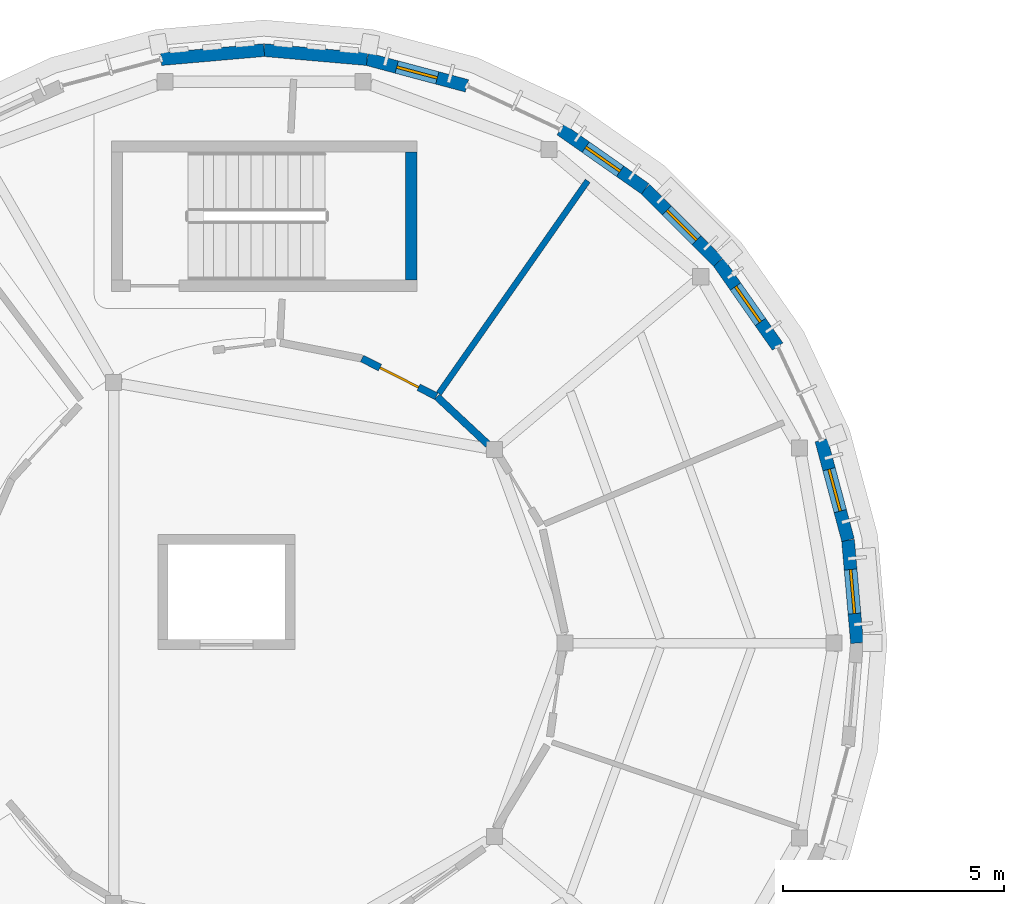
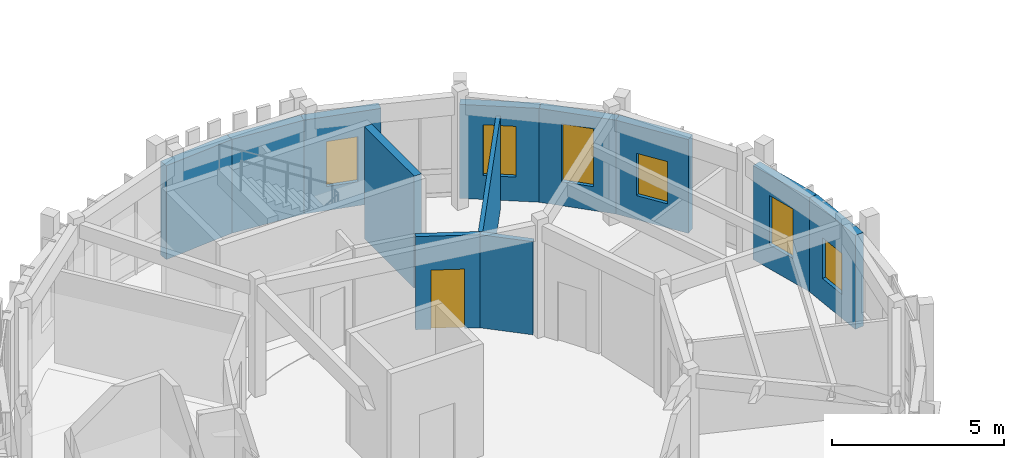
# One storey, part 38 of 58: 12 walls, 6 windows, 1 door, 7 openings.
"""IFC4 building model written with IfcOpenShell, lengths in metres."""

import ifcopenshell
import ifcopenshell.guid

model = None  # the IFC model being written
_history = None  # IfcOwnerHistory: only IFC2X3 demands one
_inside = {}  # id of a spatial element -> (the spatial element, [elements in it])
_under = {}  # id of a project, library or spatial element -> (it, [spatial elements below it])
_declared = {}  # id of a project -> (the project, [libraries it declares])
_typed = {}  # id of a type object -> (the type object, [elements of that type])
_made_of = {}  # id of a material, layer set ... -> (it, [elements and type objects made of it])


def new_model(schema):
    """Start an empty IFC model of exactly this schema.

    Asked for "IFC4X3", IfcOpenShell would pick the latest addendum, in which some entities
    have other attributes; the version numbers below select the first issue.
    IFC2X3 requires an IfcOwnerHistory on every rooted entity: one is made here for all.
    """
    global model, _history
    if schema == "IFC4X3":
        model = ifcopenshell.file(schema_version=(4, 3, 0, 0))
    else:
        model = ifcopenshell.file(schema=schema)
    _inside.clear()
    _under.clear()
    _declared.clear()
    _typed.clear()
    _made_of.clear()
    _history = None
    if model.schema == "IFC2X3":
        org = make("IfcOrganization", Name="unknown")
        user = make(
            "IfcPersonAndOrganization",
            ThePerson=make("IfcPerson", FamilyName="unknown"),
            TheOrganization=org,
        )
        app = make(
            "IfcApplication",
            ApplicationDeveloper=org,
            Version="unknown",
            ApplicationFullName="unknown",
            ApplicationIdentifier="unknown",
        )
        _history = make(
            "IfcOwnerHistory",
            OwningUser=user,
            OwningApplication=app,
            ChangeAction="ADDED",
            CreationDate=0,
        )
    return model


def make(cls, **values):
    """One entity of the class cls with the attributes given. An attribute that is None is left unset."""
    return model.create_entity(
        cls, **{name: value for name, value in values.items() if value is not None}
    )


def rooted(cls, **values):
    """An entity with a GlobalId (a new one), such as an element, a storey or a relation."""
    return make(cls, GlobalId=ifcopenshell.guid.new(), OwnerHistory=_history, **values)


def si_unit(unit_type, name, prefix=None):
    """IfcSIUnit, for example si_unit("LENGTHUNIT", "METRE", prefix="MILLI")."""
    return make("IfcSIUnit", UnitType=unit_type, Prefix=prefix, Name=name)


def assignment(units):
    """IfcUnitAssignment: the units of a project."""
    return None if units is None else make("IfcUnitAssignment", Units=units)


def point(xyz):
    """IfcCartesianPoint."""
    return None if xyz is None else make("IfcCartesianPoint", Coordinates=xyz)


def direction(xyz):
    """IfcDirection."""
    return None if xyz is None else make("IfcDirection", DirectionRatios=xyz)


def frame(location, z_axis=None, x_axis=None):
    """IfcAxis2Placement3D, a coordinate frame: its origin and axes. An axis left out is left unset."""
    return make(
        "IfcAxis2Placement3D",
        Location=point(location),
        Axis=direction(z_axis),
        RefDirection=direction(x_axis),
    )


def frame_2d(location, x_axis=None):
    """IfcAxis2Placement2D, a coordinate frame in the plane: its origin and x axis."""
    return make(
        "IfcAxis2Placement2D", Location=point(location), RefDirection=direction(x_axis)
    )


def origin():
    """The frame at (0, 0, 0) with its axes left unset."""
    return frame((0.0, 0.0, 0.0))


def place(relative_to, where):
    """IfcLocalPlacement: puts the frame where relative to a parent placement (None: the world)."""
    return make(
        "IfcLocalPlacement", PlacementRelTo=relative_to, RelativePlacement=where
    )


def context(
    kind, dimensions, precision=None, world=None, true_north=None, identifier=None
):
    """IfcGeometricRepresentationContext, for example the 3D "Model" context."""
    return make(
        "IfcGeometricRepresentationContext",
        ContextIdentifier=identifier,
        ContextType=kind,
        CoordinateSpaceDimension=dimensions,
        Precision=precision,
        WorldCoordinateSystem=world,
        TrueNorth=true_north,
    )


def subcontext(parent, identifier, kind, view, scale=None):
    """IfcGeometricRepresentationSubContext, for example "Body" below "Model"."""
    return make(
        "IfcGeometricRepresentationSubContext",
        ContextIdentifier=identifier,
        ContextType=kind,
        ParentContext=parent,
        TargetScale=scale,
        TargetView=view,
    )


def project(units=None, contexts=None):
    """IfcProject with its units and contexts."""
    return rooted(
        "IfcProject",
        Name="project",
        RepresentationContexts=contexts,
        UnitsInContext=assignment(units),
    )


def spatial(cls, under=None, at=None, **own):
    """A site, building, storey or space (cls), placed at a placement, below another one or the project."""
    s = rooted(cls, ObjectPlacement=at, **own)
    if under is not None:
        _under.setdefault(under.id(), (under, []))[1].append(s)
    return s


def profile(cls, at=None, kind="AREA", **sizes):
    """A parametric profile (cls). Its sizes go by their IFC names, for example OverallWidth=200.0."""
    return make(cls, ProfileType=kind, Position=at, **sizes)


def rectangle(**sizes):
    """IfcRectangleProfileDef."""
    return profile("IfcRectangleProfileDef", **sizes)


def extrude(swept, where, along, depth):
    """IfcExtrudedAreaSolid: the profile swept, set in the frame where, extruded along a direction by depth."""
    return make(
        "IfcExtrudedAreaSolid",
        SweptArea=swept,
        Position=where,
        ExtrudedDirection=direction(along),
        Depth=depth,
    )


def shape(context_of_items, identifier, shape_type, items):
    """IfcShapeRepresentation: the items that make up one representation, for example the "Body"."""
    return make(
        "IfcShapeRepresentation",
        ContextOfItems=context_of_items,
        RepresentationIdentifier=identifier,
        RepresentationType=shape_type,
        Items=items,
    )


def material(Name=None, Category=None):
    """IfcMaterial."""
    return make("IfcMaterial", Name=Name, Category=Category)


def layer(
    of_material, thickness, ventilated=None, Name=None, Category=None, Priority=None
):
    """IfcMaterialLayer: one layer of a wall or slab, of a material (None: an air gap)."""
    return make(
        "IfcMaterialLayer",
        Material=of_material,
        LayerThickness=thickness,
        IsVentilated=ventilated,
        Name=Name,
        Category=Category,
        Priority=Priority,
    )


def layer_set(layers, Name=None):
    """IfcMaterialLayerSet."""
    return make("IfcMaterialLayerSet", MaterialLayers=layers, LayerSetName=Name)


def made_of(thing, what):
    """Note that an element or type object is made of a material, layer set ...; save() writes the relation."""
    if what is not None:
        _made_of.setdefault(what.id(), (what, []))[1].append(thing)
    return thing


def type_object(cls, material=None, **own):
    """A type object (cls), such as IfcWallType, which elements share."""
    return made_of(rooted(cls, **own), material)


def element(
    cls,
    number,
    at=None,
    inside=None,
    cuts=None,
    type_object=None,
    material=None,
    context=None,
    identifier="Body",
    shape_type=None,
    held_by="IfcProductDefinitionShape",
    body=None,
    shapes=None,
    **own,
):
    """One element of the class cls, such as IfcWall. Its Tag is "e" and its number.

    at: its placement. inside: the storey or other place that contains it. cuts: it is an
    opening in that element (IfcRelVoidsElement). A single representation is given by context,
    identifier, shape_type and body (its items); several are given by shapes. held_by: the class
    of the entity that holds the representations. save() writes the other relations.
    """
    e = rooted(cls, Tag="e%d" % number, ObjectPlacement=at, **own)
    if body is not None:
        shapes = [shape(context, identifier, shape_type, body)]
    if shapes is not None:
        e.Representation = make(held_by, Representations=shapes)
    if inside is not None:
        _inside.setdefault(inside.id(), (inside, []))[1].append(e)
    if cuts is not None:
        rooted(
            "IfcRelVoidsElement", RelatingBuildingElement=cuts, RelatedOpeningElement=e
        )
    if type_object is not None:
        _typed.setdefault(type_object.id(), (type_object, []))[1].append(e)
    return made_of(e, material)


def fill(opening, filler):
    """IfcRelFillsElement: the door or window that sits in an opening."""
    return rooted(
        "IfcRelFillsElement",
        RelatingOpeningElement=opening,
        RelatedBuildingElement=filler,
    )


def aggregate(whole, parts):
    """IfcRelAggregates: a whole, such as a stair, and the parts it consists of."""
    return rooted("IfcRelAggregates", RelatingObject=whole, RelatedObjects=parts)


def save(model, path):
    """Write the relations noted so far, then the file.

    IfcRelAggregates (storeys below a building ...), IfcRelContainedInSpatialStructure (elements
    in a storey), IfcRelDefinesByType, IfcRelAssociatesMaterial and IfcRelDeclares: one each for
    every whole, place, type object, material and project.
    """
    for whole, parts in _under.values():
        aggregate(whole, parts)
    for where, things in _inside.values():
        rooted(
            "IfcRelContainedInSpatialStructure",
            RelatedElements=things,
            RelatingStructure=where,
        )
    for kind, things in _typed.values():
        rooted("IfcRelDefinesByType", RelatedObjects=things, RelatingType=kind)
    for what, things in _made_of.values():
        rooted("IfcRelAssociatesMaterial", RelatedObjects=things, RelatingMaterial=what)
    for by, libraries in _declared.values():
        rooted("IfcRelDeclares", RelatingContext=by, RelatedDefinitions=libraries)
    model.write(path)


model = new_model("IFC4")

# Units and contexts
model_context = context("Model", 3, precision=1e-05, world=origin(), true_north=direction((0.0, 1.0)))
body_context = subcontext(model_context, "Body", "Model", "MODEL_VIEW")
ifc_project = project(units=[si_unit("LENGTHUNIT", "METRE"), si_unit("AREAUNIT", "SQUARE_METRE"), si_unit("VOLUMEUNIT", "CUBIC_METRE"), si_unit("PLANEANGLEUNIT", "RADIAN"), si_unit("MASSUNIT", "GRAM", prefix="KILO")], contexts=[model_context])

# Site, building, storey
site_placement = place(None, origin())
site = spatial("IfcSite", under=ifc_project, at=site_placement, CompositionType="ELEMENT")
building_placement = place(site_placement, origin())
building = spatial("IfcBuilding", under=site, at=building_placement, Name="Aldenvaro Health Centre", CompositionType="ELEMENT")
storey_placement = place(building_placement, frame((0.0, 0.0, 8.75)))
storey = spatial("IfcBuildingStorey", under=building, at=storey_placement, Name="L02", CompositionType="ELEMENT", Elevation=8.75)

# Wall
ifc_material_1 = material(Name="Gypsum Stud Acoustic Assembly")
ifc_layer_1 = layer(ifc_material_1, 0.1650390625, Name="Gypsum Stud Acoustic Assembly")
ifc_layer_set_1 = layer_set([ifc_layer_1], Name="Gypsum Stud Acoustic Assembly")
wall_type_1 = type_object("IfcWallType", Name="WL-COR-165", PredefinedType="PARTITIONING", material=ifc_layer_set_1)
wall_1_placement = place(storey_placement, frame((23.56201171875, 103.987060546875, 0.0), z_axis=(0.0, 0.0, 1.0), x_axis=(-0.730813584636, 0.682577105176, 0.0)))
element("IfcWall", 1, at=wall_1_placement, inside=storey, type_object=wall_type_1, Name="D4 L02 corridor wall 08.2", PredefinedType="PARTITIONING", context=body_context, shape_type="SweptSolid", body=[
    extrude(rectangle(XDim=1.5791015625, YDim=0.1650390625, at=frame_2d((0.78955078125, 0.0))), origin(), (0.0, 0.0, 1.0), 3.303955078125),
])

# Wall, opening, door
wall_2_placement = place(storey_placement, frame((22.39306640625, 105.075927734375, 0.0), z_axis=(0.0, 0.0, 1.0), x_axis=(-0.891321219161, 0.453372346172, 0.0)))
wall_2 = element("IfcWall", 2, at=wall_2_placement, inside=storey, type_object=wall_type_1, Name="D4 L02 corridor wall 09.1", PredefinedType="PARTITIONING", context=body_context, shape_type="SweptSolid", body=[
    extrude(rectangle(XDim=1.8837890625, YDim=0.1650390625, at=frame_2d((0.94189453125, 0.0))), origin(), (0.0, 0.0, 1.0), 3.303955078125),
])
opening_1_placement = place(wall_2_placement, frame((0.451904296875, 0.0, 0.0)))
opening_1 = element("IfcOpeningElement", 3, at=opening_1_placement, cuts=wall_2, Name="Opening WD-03", PredefinedType="OPENING", context=body_context, shape_type="SweptSolid", body=[
    extrude(rectangle(XDim=0.97998046875, YDim=2.10009765625, at=frame_2d((0.489990234375, 1.050048828125))), frame((0.0, 0.092529296875, 0.0), z_axis=(0.0, -1.0, 0.0), x_axis=(1.0, 0.0, 0.0)), (0.0, 0.0, 1.0), 0.18505859375),
])
ifc_material_2 = material(Name="Bariatric Accessible Sanitary Door")
door_type = type_object("IfcDoorType", Name="DR-WC-03", OperationType="NOTDEFINED", PredefinedType="DOOR", material=ifc_material_2)
door_placement = place(opening_1_placement, origin())
door = element("IfcDoor", 4, at=door_placement, inside=storey, type_object=door_type, Name="Female Patient WC Door", OperationType="SINGLE_SWING_RIGHT", OverallHeight=2.10009765625, OverallWidth=0.97998046875, PredefinedType="DOOR", context=body_context, shape_type="SweptSolid", body=[
    extrude(rectangle(XDim=0.97998046875, YDim=2.10009765625, at=frame_2d((0.489990234375, 1.050048828125))), frame((0.0, 0.02490234375, 0.0), z_axis=(0.0, -1.0, 0.0), x_axis=(1.0, 0.0, 0.0)), (0.0, 0.0, 1.0), 0.050048828125),
])
fill(opening_1, door)

# Walls
ifc_material_3 = material(Name="Cross-laminated timber CLT E1", Category="wood")
ifc_layer_2 = layer(ifc_material_3, 0.2900390625, Name="Cross-laminated timber CLT E1", Category="wood")
ifc_layer_set_2 = layer_set([ifc_layer_2], Name="Cross-laminated timber CLT E1")
wall_type_2 = type_object("IfcWallType", Name="WL-EXT-290", PredefinedType="ELEMENTEDWALL", material=ifc_layer_set_2)
for number, where, z_axis, x_axis, name in (
    (5, (16.173095703125, 112.696044921875, 0.0), (0.0, 0.0, 1.0), (0.996184295282, 0.087274565792, 0.0), "D4 L02 exterior wall 27"),
    (6, (18.5, 112.89990234375, 0.0), (0.0, 0.0, 1.0), (0.996184295282, -0.087274565792, 0.0), "D4 L02 exterior wall 28"),
):
    element("IfcWall", number, at=place(storey_placement, frame(where, z_axis=z_axis, x_axis=x_axis)), inside=storey, type_object=wall_type_2, Name=name, PredefinedType="ELEMENTEDWALL", context=body_context, shape_type="SweptSolid", body=[
        extrude(rectangle(XDim=2.3359375, YDim=0.2900390625, at=frame_2d((1.16796875, 0.0))), origin(), (0.0, 0.0, 1.0), 3.3291015625),
    ])

# Wall, opening, window
wall_3_placement = place(storey_placement, frame((20.826904296875, 112.696044921875, 0.0), z_axis=(0.0, 0.0, 1.0), x_axis=(0.965981166673, -0.258612423585, 0.0)))
wall_3 = element("IfcWall", 7, at=wall_3_placement, inside=storey, type_object=wall_type_2, Name="D4 L02 exterior wall 29", PredefinedType="ELEMENTEDWALL", context=body_context, shape_type="SweptSolid", body=[
    extrude(rectangle(XDim=2.33544921875, YDim=0.2900390625, at=frame_2d((1.167724609375, 0.0))), origin(), (0.0, 0.0, 1.0), 3.3291015625),
])
opening_2_placement = place(wall_3_placement, frame((0.693115234375, 0.0, 0.85009765625)))
opening_2 = element("IfcOpeningElement", 8, at=opening_2_placement, cuts=wall_3, Name="Opening W-10", PredefinedType="OPENING", context=body_context, shape_type="SweptSolid", body=[
    extrude(rectangle(XDim=0.949951171875, YDim=1.60009765625, at=frame_2d((0.47509765625, 0.800048828125))), frame((0.0, 0.155029296875, 0.0), z_axis=(0.0, -1.0, 0.0), x_axis=(1.0, 0.0, 0.0)), (0.0, 0.0, 1.0), 0.31005859375),
])
ifc_material_4 = material(Name="Thermally Broken Aluminium Low-E Glass", Category="aluminium")
window_type_1 = type_object("IfcWindowType", Name="WN-EXT-10", PartitioningType="SINGLE_PANEL", PredefinedType="WINDOW", material=ifc_material_4)
window_1_placement = place(opening_2_placement, origin())
window_1 = element("IfcWindow", 9, at=window_1_placement, inside=storey, type_object=window_type_1, Name="D4 L02 clinical window 29", OverallHeight=1.60009765625, OverallWidth=0.949951171875, PartitioningType="SINGLE_PANEL", PredefinedType="WINDOW", context=body_context, shape_type="SweptSolid", body=[
    extrude(rectangle(XDim=0.949951171875, YDim=1.60009765625, at=frame_2d((0.47509765625, 0.800048828125))), frame((0.0, 0.030029296875, 0.0), z_axis=(0.0, -1.0, 0.0), x_axis=(1.0, 0.0, 0.0)), (0.0, 0.0, 1.0), 0.06005859375),
])
fill(opening_2, window_1)

wall_4_placement = place(storey_placement, frame((25.199951171875, 111.10498046875, 0.0), z_axis=(0.0, 0.0, 1.0), x_axis=(0.819045278347, -0.573728883722, 0.0)))
wall_4 = element("IfcWall", 10, at=wall_4_placement, inside=storey, type_object=wall_type_2, Name="D4 L02 exterior wall 31", PredefinedType="ELEMENTEDWALL", context=body_context, shape_type="SweptSolid", body=[
    extrude(rectangle(XDim=2.335693359375, YDim=0.2900390625, at=frame_2d((1.16796875, 0.0))), origin(), (0.0, 0.0, 1.0), 3.3291015625),
])
opening_3_placement = place(wall_4_placement, frame((0.693115234375, 0.0, 0.85009765625)))
opening_3 = element("IfcOpeningElement", 11, at=opening_3_placement, cuts=wall_4, Name="Opening W-11", PredefinedType="OPENING", context=body_context, shape_type="SweptSolid", body=[
    extrude(rectangle(XDim=0.949951171875, YDim=1.800048828125, at=frame_2d((0.47509765625, 0.89990234375))), frame((0.0, 0.155029296875, 0.0), z_axis=(0.0, -1.0, 0.0), x_axis=(1.0, 0.0, 0.0)), (0.0, 0.0, 1.0), 0.31005859375),
])
window_type_2 = type_object("IfcWindowType", Name="WN-EXT-11", PartitioningType="SINGLE_PANEL", PredefinedType="WINDOW", material=ifc_material_4)
window_2_placement = place(opening_3_placement, origin())
window_2 = element("IfcWindow", 12, at=window_2_placement, inside=storey, type_object=window_type_2, Name="D4 L02 clinical window 31", OverallHeight=1.800048828125, OverallWidth=0.949951171875, PartitioningType="SINGLE_PANEL", PredefinedType="WINDOW", context=body_context, shape_type="SweptSolid", body=[
    extrude(rectangle(XDim=0.949951171875, YDim=1.800048828125, at=frame_2d((0.47509765625, 0.89990234375))), frame((0.0, 0.030029296875, 0.0), z_axis=(0.0, -1.0, 0.0), x_axis=(1.0, 0.0, 0.0)), (0.0, 0.0, 1.0), 0.06005859375),
])
fill(opening_3, window_2)

wall_5_placement = place(storey_placement, frame((27.113037109375, 109.764892578125, 0.0), z_axis=(0.0, 0.0, 1.0), x_axis=(0.707106781187, -0.707106781187, 0.0)))
wall_5 = element("IfcWall", 13, at=wall_5_placement, inside=storey, type_object=wall_type_2, Name="D4 L02 exterior wall 32", PredefinedType="ELEMENTEDWALL", context=body_context, shape_type="SweptSolid", body=[
    extrude(rectangle(XDim=2.336181640625, YDim=0.2900390625, at=frame_2d((1.16796875, 0.0))), origin(), (0.0, 0.0, 1.0), 3.3291015625),
])
opening_4_placement = place(wall_5_placement, frame((0.693115234375, 0.0, 0.85009765625)))
opening_4 = element("IfcOpeningElement", 14, at=opening_4_placement, cuts=wall_5, Name="Opening W-12", PredefinedType="OPENING", context=body_context, shape_type="SweptSolid", body=[
    extrude(rectangle(XDim=0.949951171875, YDim=2.050048828125, at=frame_2d((0.47509765625, 1.02490234375))), frame((0.0, 0.155029296875, 0.0), z_axis=(0.0, -1.0, 0.0), x_axis=(1.0, 0.0, 0.0)), (0.0, 0.0, 1.0), 0.31005859375),
])
window_type_3 = type_object("IfcWindowType", Name="WN-EXT-12", PartitioningType="SINGLE_PANEL", PredefinedType="WINDOW", material=ifc_material_4)
window_3_placement = place(opening_4_placement, origin())
window_3 = element("IfcWindow", 15, at=window_3_placement, inside=storey, type_object=window_type_3, Name="D4 L02 clinical window 32", OverallHeight=2.050048828125, OverallWidth=0.949951171875, PartitioningType="SINGLE_PANEL", PredefinedType="WINDOW", context=body_context, shape_type="SweptSolid", body=[
    extrude(rectangle(XDim=0.949951171875, YDim=2.050048828125, at=frame_2d((0.47509765625, 1.02490234375))), frame((0.0, 0.030029296875, 0.0), z_axis=(0.0, -1.0, 0.0), x_axis=(1.0, 0.0, 0.0)), (0.0, 0.0, 1.0), 0.06005859375),
])
fill(opening_4, window_3)

wall_6_placement = place(storey_placement, frame((28.764892578125, 108.113037109375, 0.0), z_axis=(0.0, 0.0, 1.0), x_axis=(0.573728883722, -0.819045278347, 0.0)))
wall_6 = element("IfcWall", 16, at=wall_6_placement, inside=storey, type_object=wall_type_2, Name="D4 L02 exterior wall 33", PredefinedType="ELEMENTEDWALL", context=body_context, shape_type="SweptSolid", body=[
    extrude(rectangle(XDim=2.335693359375, YDim=0.2900390625, at=frame_2d((1.16796875, 0.0))), origin(), (0.0, 0.0, 1.0), 3.3291015625),
])
opening_5_placement = place(wall_6_placement, frame((0.677978515625, 0.0, 0.85009765625)))
opening_5 = element("IfcOpeningElement", 17, at=opening_5_placement, cuts=wall_6, Name="Opening W-13", PredefinedType="OPENING", context=body_context, shape_type="SweptSolid", body=[
    extrude(rectangle(XDim=0.97998046875, YDim=1.5, at=frame_2d((0.489990234375, 0.75))), frame((0.0, 0.155029296875, 0.0), z_axis=(0.0, -1.0, 0.0), x_axis=(1.0, 0.0, 0.0)), (0.0, 0.0, 1.0), 0.31005859375),
])
window_type_4 = type_object("IfcWindowType", Name="WN-EXT-13", PartitioningType="SINGLE_PANEL", PredefinedType="WINDOW", material=ifc_material_4)
window_4_placement = place(opening_5_placement, origin())
window_4 = element("IfcWindow", 18, at=window_4_placement, inside=storey, type_object=window_type_4, Name="D4 L02 clinical window 33", OverallHeight=1.5, OverallWidth=0.97998046875, PartitioningType="SINGLE_PANEL", PredefinedType="WINDOW", context=body_context, shape_type="SweptSolid", body=[
    extrude(rectangle(XDim=0.97998046875, YDim=1.5, at=frame_2d((0.489990234375, 0.75))), frame((0.0, 0.030029296875, 0.0), z_axis=(0.0, -1.0, 0.0), x_axis=(1.0, 0.0, 0.0)), (0.0, 0.0, 1.0), 0.06005859375),
])
fill(opening_5, window_4)

wall_7_placement = place(storey_placement, frame((31.092041015625, 104.0830078125, 0.0), z_axis=(0.0, 0.0, 1.0), x_axis=(0.258612423585, -0.965981166673, 0.0)))
wall_7 = element("IfcWall", 19, at=wall_7_placement, inside=storey, type_object=wall_type_2, Name="D4 L02 exterior wall 35", PredefinedType="ELEMENTEDWALL", context=body_context, shape_type="SweptSolid", body=[
    extrude(rectangle(XDim=2.33544921875, YDim=0.2900390625, at=frame_2d((1.167724609375, 0.0))), origin(), (0.0, 0.0, 1.0), 3.3291015625),
])
opening_6_placement = place(wall_7_placement, frame((0.677978515625, 0.0, 0.85009765625)))
opening_6 = element("IfcOpeningElement", 20, at=opening_6_placement, cuts=wall_7, Name="Opening W-14", PredefinedType="OPENING", context=body_context, shape_type="SweptSolid", body=[
    extrude(rectangle(XDim=0.97998046875, YDim=1.75, at=frame_2d((0.489990234375, 0.875))), frame((0.0, 0.155029296875, 0.0), z_axis=(0.0, -1.0, 0.0), x_axis=(1.0, 0.0, 0.0)), (0.0, 0.0, 1.0), 0.31005859375),
])
window_type_5 = type_object("IfcWindowType", Name="WN-EXT-14", PartitioningType="SINGLE_PANEL", PredefinedType="WINDOW", material=ifc_material_4)
window_5_placement = place(opening_6_placement, origin())
window_5 = element("IfcWindow", 21, at=window_5_placement, inside=storey, type_object=window_type_5, Name="D4 L02 clinical window 35", OverallHeight=1.75, OverallWidth=0.97998046875, PartitioningType="SINGLE_PANEL", PredefinedType="WINDOW", context=body_context, shape_type="SweptSolid", body=[
    extrude(rectangle(XDim=0.97998046875, YDim=1.75, at=frame_2d((0.489990234375, 0.875))), frame((0.0, 0.030029296875, 0.0), z_axis=(0.0, -1.0, 0.0), x_axis=(1.0, 0.0, 0.0)), (0.0, 0.0, 1.0), 0.06005859375),
])
fill(opening_6, window_5)

wall_8_placement = place(storey_placement, frame((31.696044921875, 101.826904296875, 0.0), z_axis=(0.0, 0.0, 1.0), x_axis=(0.087274565792, -0.996184295282, 0.0)))
wall_8 = element("IfcWall", 22, at=wall_8_placement, inside=storey, type_object=wall_type_2, Name="D4 L02 exterior wall 36", PredefinedType="ELEMENTEDWALL", context=body_context, shape_type="SweptSolid", body=[
    extrude(rectangle(XDim=2.3359375, YDim=0.2900390625, at=frame_2d((1.16796875, 0.0))), origin(), (0.0, 0.0, 1.0), 3.3291015625),
])
opening_7_placement = place(wall_8_placement, frame((0.66796875, 0.0, 0.85009765625)))
opening_7 = element("IfcOpeningElement", 23, at=opening_7_placement, cuts=wall_8, Name="Opening W-15", PredefinedType="OPENING", context=body_context, shape_type="SweptSolid", body=[
    extrude(rectangle(XDim=1.0, YDim=1.449951171875, at=frame_2d((0.5, 0.72509765625))), frame((0.0, 0.155029296875, 0.0), z_axis=(0.0, -1.0, 0.0), x_axis=(1.0, 0.0, 0.0)), (0.0, 0.0, 1.0), 0.31005859375),
])
window_type_6 = type_object("IfcWindowType", Name="WN-EXT-15", PartitioningType="SINGLE_PANEL", PredefinedType="WINDOW", material=ifc_material_4)
window_6_placement = place(opening_7_placement, origin())
window_6 = element("IfcWindow", 24, at=window_6_placement, inside=storey, type_object=window_type_6, Name="D4 L02 clinical window 36", OverallHeight=1.449951171875, OverallWidth=1.0, PartitioningType="SINGLE_PANEL", PredefinedType="WINDOW", context=body_context, shape_type="SweptSolid", body=[
    extrude(rectangle(XDim=1.0, YDim=1.449951171875, at=frame_2d((0.5, 0.72509765625))), frame((0.0, 0.030029296875, 0.0), z_axis=(0.0, -1.0, 0.0), x_axis=(1.0, 0.0, 0.0)), (0.0, 0.0, 1.0), 0.06005859375),
])
fill(opening_7, window_6)

# Walls
ifc_material_5 = material(Name="Concrete f'c 40 MPa", Category="concrete")
ifc_layer_3 = layer(ifc_material_5, 0.25, Name="Concrete f'c 40 MPa", Category="concrete")
ifc_layer_set_3 = layer_set([ifc_layer_3], Name="Concrete f'c 40 MPa")
wall_type_3 = type_object("IfcWallType", Name="WL-SHAFT-250", PredefinedType="SHEAR", material=ifc_layer_set_3)
wall_9_placement = place(storey_placement, frame((21.824951171875, 107.699951171875, 0.0), z_axis=(0.0, 0.0, 1.0), x_axis=(0.0, 1.0, 0.0)))
element("IfcWall", 25, at=wall_9_placement, inside=storey, type_object=wall_type_3, Name="ST-07 L02 side core wall R", PredefinedType="SHEAR", context=body_context, shape_type="SweptSolid", body=[
    extrude(rectangle(XDim=2.900146484375, YDim=0.25, at=frame_2d((1.4501953125, 0.0))), origin(), (0.0, 0.0, 1.0), 3.97509765625),
])
ifc_material_6 = material(Name="Moisture-Resistant Plumbing Stud Wall")
ifc_layer_4 = layer(ifc_material_6, 0.135009765625, Name="Moisture-Resistant Plumbing Stud Wall")
ifc_layer_set_4 = layer_set([ifc_layer_4], Name="Moisture-Resistant Plumbing Stud Wall")
wall_type_4 = type_object("IfcWallType", Name="WL-WET-135", PredefinedType="PLUMBINGWALL", material=ifc_layer_set_4)
wall_10_placement = place(storey_placement, frame((22.447998046875, 105.137939453125, 0.0), z_axis=(0.0, 0.0, 1.0), x_axis=(0.573462344363, 0.819231920519, 0.0)))
element("IfcWall", 26, at=wall_10_placement, inside=storey, type_object=wall_type_4, Name="D4 L02 clinical partition 9.1", PredefinedType="PLUMBINGWALL", context=body_context, shape_type="SweptSolid", body=[
    extrude(rectangle(XDim=5.867919921875, YDim=0.135009765625, at=frame_2d((2.93408203125, 0.0))), origin(), (0.0, 0.0, 1.0), 3.303955078125),
])

save(model, "model.ifc")
